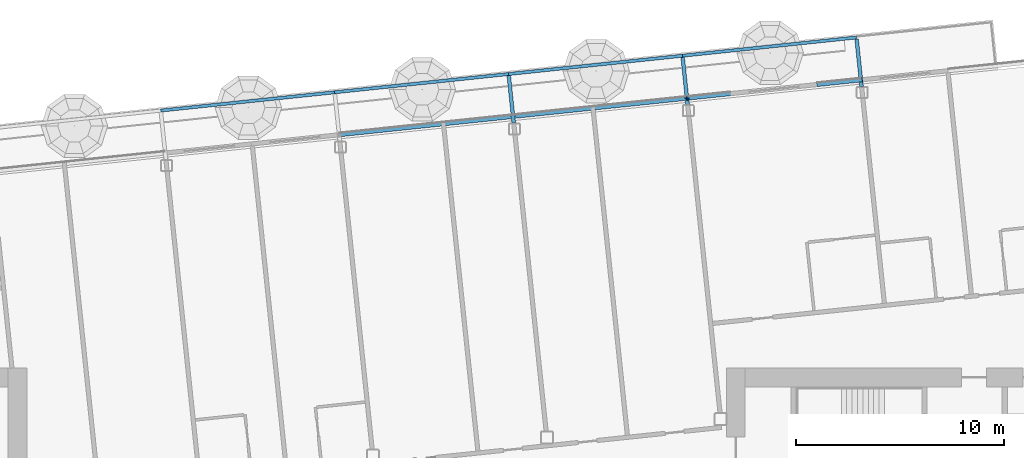
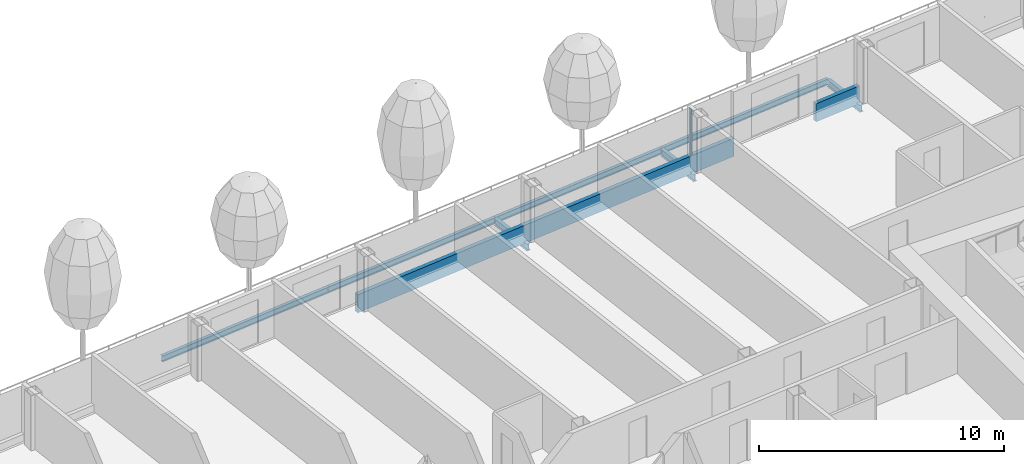
# One storey, part 8 of 29: 7 beams, 3 members, 1 element without a shape of its own.
"""IFC4 building model written with IfcOpenShell, lengths in metres."""

from ifc_helpers import new_model, si_unit, direction, frame, origin, origin_2d, place, context, subcontext, project, spatial, rectangle, i_section, extrude, material, layer, layer_set, material_profile, profile_set, type_object, element, aggregate, save


model = new_model("IFC4")

# Units and contexts
model_context = context("Model", 3, precision=1e-05, world=origin(), true_north=direction((0.0, 1.0)))
body_context = subcontext(model_context, "Body", "Model", "MODEL_VIEW")
ifc_project = project(units=[si_unit("LENGTHUNIT", "METRE"), si_unit("AREAUNIT", "SQUARE_METRE"), si_unit("VOLUMEUNIT", "CUBIC_METRE"), si_unit("PLANEANGLEUNIT", "RADIAN"), si_unit("MASSUNIT", "GRAM", prefix="KILO")], contexts=[model_context])

# Site, building, storey
site_placement = place(None, origin())
site = spatial("IfcSite", under=ifc_project, at=site_placement, CompositionType="ELEMENT")
building_placement = place(site_placement, origin())
building = spatial("IfcBuilding", under=site, at=building_placement, Name="Hakoniwa Tower and Hamabe Station Hall", CompositionType="ELEMENT")
storey_placement = place(building_placement, frame((0.0, 0.0, 258.199951171875)))
storey = spatial("IfcBuildingStorey", under=building, at=storey_placement, Name="L73", CompositionType="ELEMENT", Elevation=258.199951171875)

# Beams
ifc_material_1 = material(Name="Steel SN490B", Category="steel")
ifc_material_profile_1 = material_profile(ifc_material_1, i_section(OverallWidth=0.175048828125, OverallDepth=0.35009765625, WebThickness=0.007080078125, FlangeThickness=0.010986328125, FilletRadius=0.013916015625, at=origin_2d()), Name="H-350x175x7x11")
ifc_profile_set_1 = profile_set([ifc_material_profile_1], Name="Steel SN490B")
beam_type_1 = type_object("IfcBeamType", Name="BALCONY BRACKET H-350x175x7x11", PredefinedType="BEAM", material=ifc_profile_set_1)
for number, where, z_axis, x_axis, name in (
    (1, (6.590087890625, 20.16064453125, -0.625), (-0.104557694553, 0.994518822602, 0.0), (-0.994518822602, -0.104557694553, 0.0), "Balcony bracket B5-8-F5"),
    (2, (14.944091796875, 21.03857421875, -0.625), (-0.104557694553, 0.994518822602, 0.0), (-0.994518822602, -0.104557694553, 0.0), "Balcony bracket B5-9-F5"),
    (3, (23.298095703125, 21.916748046875, -0.625), (-0.104557694553, 0.994518822602, 0.0), (-0.994518822602, -0.104557694553, 0.0), "Balcony bracket B5-10-F5"),
):
    element("IfcBeam", number, at=place(storey_placement, frame(where, z_axis=z_axis, x_axis=x_axis)), inside=storey, type_object=beam_type_1, Name=name, PredefinedType="BEAM", context=body_context, shape_type="SweptSolid", body=[
        extrude(i_section(OverallWidth=0.175048828125, OverallDepth=0.35009765625, WebThickness=0.007080078125, FlangeThickness=0.010986328125, FilletRadius=0.013916015625, at=origin_2d()), origin(), (0.0, 0.0, 1.0), 2.300048828125),
    ])
ifc_material_2 = material(Name="Steel SN490B", Category="steel")
ifc_material_profile_2 = material_profile(ifc_material_2, i_section(OverallWidth=0.14990234375, OverallDepth=0.300048828125, WebThickness=0.006591796875, FlangeThickness=0.009033203125, FilletRadius=0.012939453125, at=origin_2d()), Name="H-300x150x6.5x9")
ifc_profile_set_2 = profile_set([ifc_material_profile_2], Name="Steel SN490B")
beam_type_2 = type_object("IfcBeamType", Name="BALCONY EDGE BEAM H-300x150x6.5x9", PredefinedType="BEAM", material=ifc_profile_set_2)
beam_1_placement = place(storey_placement, frame((-10.3662109375, 20.7666015625, -0.599853515625), z_axis=(0.994523275226, 0.104515333968, 0.0), x_axis=(-0.104515333968, 0.994523275226, 0.0)))
element("IfcBeam", 4, at=beam_1_placement, inside=storey, type_object=beam_type_2, Name="Balcony edge beam B5-6-F5-B5-7-F5", PredefinedType="BEAM", context=body_context, shape_type="SweptSolid", body=[
    extrude(i_section(OverallWidth=0.14990234375, OverallDepth=0.300048828125, WebThickness=0.006591796875, FlangeThickness=0.009033203125, FilletRadius=0.012939453125, at=origin_2d()), origin(), (0.0, 0.0, 1.0), 8.39990234375),
])
beam_2_placement = place(storey_placement, frame((-2.01220703125, 21.64453125, -0.599853515625), z_axis=(0.994520253788, 0.104544080685, 0.0), x_axis=(-0.104544080685, 0.994520253788, 0.0)))
element("IfcBeam", 5, at=beam_2_placement, inside=storey, type_object=beam_type_2, Name="Balcony edge beam B5-7-F5-B5-8-F5", PredefinedType="BEAM", context=body_context, shape_type="SweptSolid", body=[
    extrude(i_section(OverallWidth=0.14990234375, OverallDepth=0.300048828125, WebThickness=0.006591796875, FlangeThickness=0.009033203125, FilletRadius=0.012939453125, at=origin_2d()), origin(), (0.0, 0.0, 1.0), 8.400146484375),
])
beam_3_placement = place(storey_placement, frame((6.341796875, 22.522705078125, -0.599853515625), z_axis=(0.994523275226, 0.104515333968, 0.0), x_axis=(-0.104515333968, 0.994523275226, 0.0)))
element("IfcBeam", 6, at=beam_3_placement, inside=storey, type_object=beam_type_2, Name="Balcony edge beam B5-8-F5-B5-9-F5", PredefinedType="BEAM", context=body_context, shape_type="SweptSolid", body=[
    extrude(i_section(OverallWidth=0.14990234375, OverallDepth=0.300048828125, WebThickness=0.006591796875, FlangeThickness=0.009033203125, FilletRadius=0.012939453125, at=origin_2d()), origin(), (0.0, 0.0, 1.0), 8.39990234375),
])
beam_4_placement = place(storey_placement, frame((14.69580078125, 23.400634765625, -0.599853515625), z_axis=(0.994520253788, 0.104544080685, 0.0), x_axis=(-0.104544080685, 0.994520253788, 0.0)))
element("IfcBeam", 7, at=beam_4_placement, inside=storey, type_object=beam_type_2, Name="Balcony edge beam B5-9-F5-B5-10-F5", PredefinedType="BEAM", context=body_context, shape_type="SweptSolid", body=[
    extrude(i_section(OverallWidth=0.14990234375, OverallDepth=0.300048828125, WebThickness=0.006591796875, FlangeThickness=0.009033203125, FilletRadius=0.012939453125, at=origin_2d()), origin(), (0.0, 0.0, 1.0), 8.400146484375),
])

# Curtain wall, members
ifc_material_3 = material(Name="Dark low-e laminated glass", Category="glass")
ifc_layer = layer(ifc_material_3, 0.199951171875)
ifc_layer_set = layer_set([ifc_layer], Name="CW-1 UNITISED GUEST")
curtain_wall_type = type_object("IfcCurtainWallType", Name="CW-1 UNITISED GUEST", PredefinedType="NOTDEFINED", material=ifc_layer_set)
curtain_wall_placement = place(storey_placement, origin())
curtain_wall = element("IfcCurtainWall", 8, at=curtain_wall_placement, inside=storey, type_object=curtain_wall_type, Name="CW-1 curtain wall", PredefinedType="NOTDEFINED")
ifc_material_4 = material(Name="Aluminium 6063-T5 black anodised", Category="aluminium")
ifc_material_profile_3 = material_profile(ifc_material_4, rectangle(XDim=0.199951171875, YDim=0.89990234375, at=origin_2d()), Name="CW SLAB-EDGE BAND 900X200")
ifc_profile_set_3 = profile_set([ifc_material_profile_3], Name="Aluminium 6063-T5 black anodised")
member_type_1 = type_object("IfcMemberType", Name="CW SLAB-EDGE BAND 900X200", PredefinedType="USERDEFINED", material=ifc_profile_set_3)
member_1_placement = place(storey_placement, frame((23.32373046875, 22.24609375, -0.099853515625), z_axis=(-0.994529250679, -0.104458458456, 0.0), x_axis=(0.104458458456, -0.994529250679, 0.0)))
member_1 = element("IfcMember", 9, at=member_1_placement, type_object=member_type_1, Name="CW-1 transom", ObjectType="TRANSOM", PredefinedType="USERDEFINED", context=body_context, shape_type="SweptSolid", body=[
    extrude(rectangle(XDim=0.199951171875, YDim=0.89990234375, at=origin_2d()), origin(), (0.0, 0.0, 1.0), 2.18994140625),
])
member_2_placement = place(storey_placement, frame((17.0283203125, 21.58447265625, -0.099853515625), z_axis=(-0.994522628175, -0.104521490842, 0.0), x_axis=(0.104521490842, -0.994522628175, 0.0)))
member_2 = element("IfcMember", 10, at=member_2_placement, type_object=member_type_1, Name="CW-1 transom", ObjectType="TRANSOM", PredefinedType="USERDEFINED", context=body_context, shape_type="SweptSolid", body=[
    extrude(rectangle(XDim=0.199951171875, YDim=0.89990234375, at=origin_2d()), origin(), (0.0, 0.0, 1.0), 18.989990234375),
])
ifc_material_5 = material(Name="Aluminium 6063-T5 black anodised", Category="aluminium")
ifc_material_profile_4 = material_profile(ifc_material_5, rectangle(XDim=0.06005859375, YDim=0.179931640625, at=origin_2d()), Name="CW-1 MULLION 60X180")
ifc_profile_set_4 = profile_set([ifc_material_profile_4], Name="Aluminium 6063-T5 black anodised")
member_type_2 = type_object("IfcMemberType", Name="CW-1 MULLION 60X180", PredefinedType="MULLION", material=ifc_profile_set_4)
member_3_placement = place(storey_placement, frame((14.911865234375, 21.343994140625, 0.35009765625), z_axis=(0.0, 0.0, 1.0), x_axis=(-0.994521895272, -0.104528464188, 0.0)))
member_3 = element("IfcMember", 11, at=member_3_placement, type_object=member_type_2, Name="CW-1 mullion", PredefinedType="MULLION", context=body_context, shape_type="SweptSolid", body=[
    extrude(rectangle(XDim=0.06005859375, YDim=0.179931640625, at=origin_2d()), origin(), (0.0, 0.0, 1.0), 2.300048828125),
])
aggregate(curtain_wall, [member_3, member_1, member_2])

save(model, "model.ifc")
